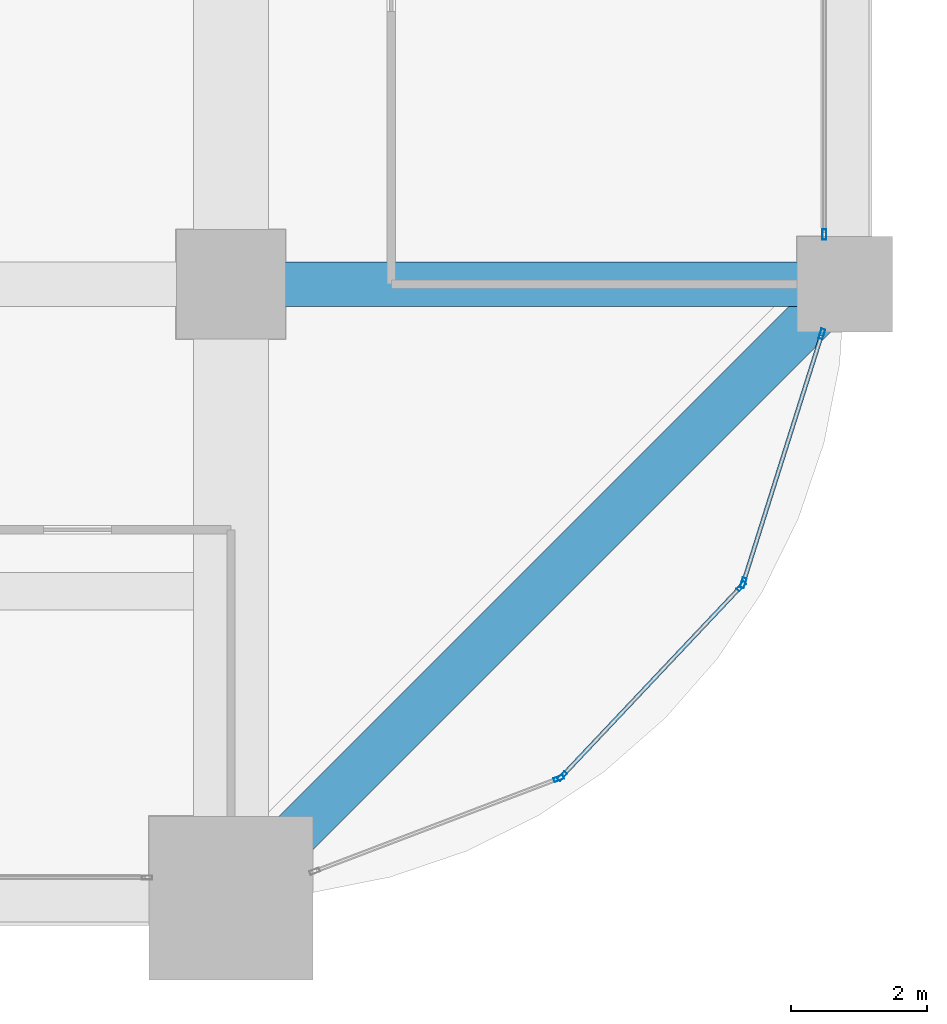
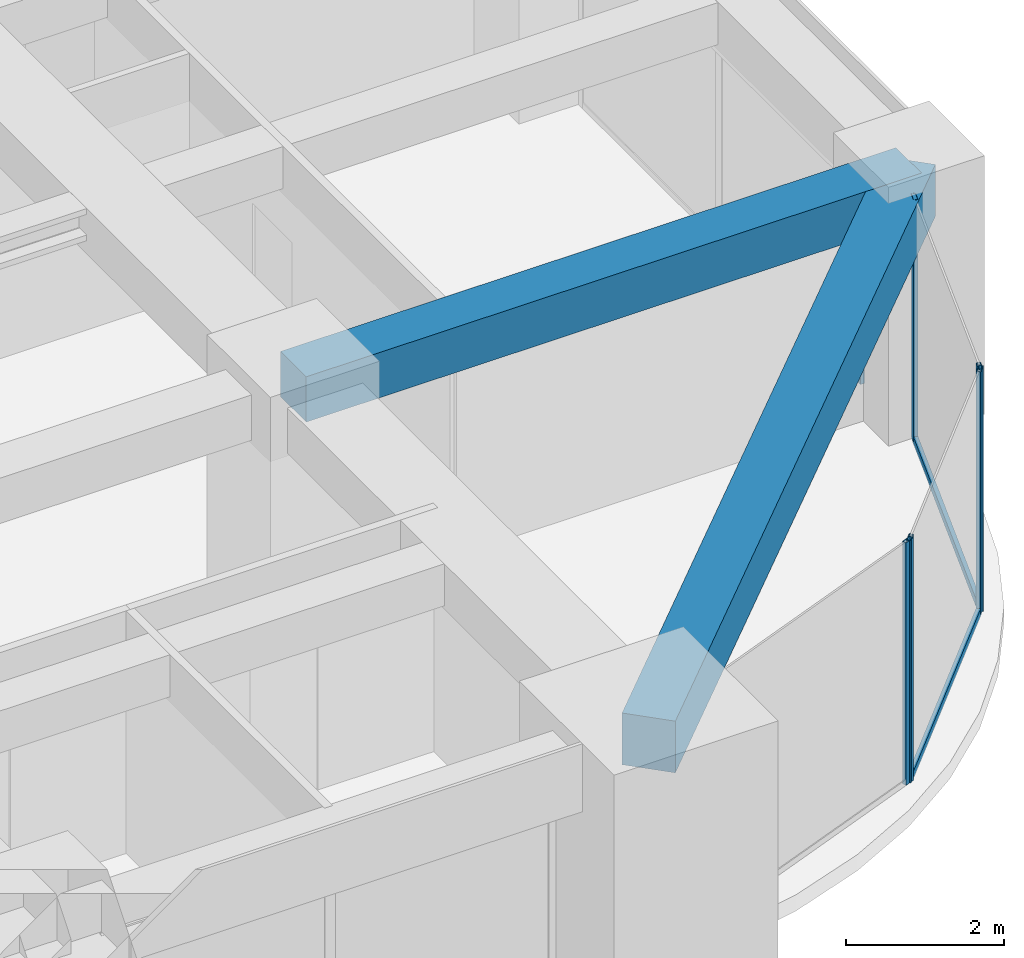
# One storey, part 16 of 32: 8 members, 2 beams, 4 elements without a shape of their own.
"""IFC4 building model written with IfcOpenShell, lengths in metres."""

from ifc_helpers import new_model, si_unit, direction, frame, origin, origin_2d, place, context, subcontext, project, spatial, rectangle, hollow_rectangle, extrude, material, material_profile, profile_set, type_object, element, aggregate, save


model = new_model("IFC4")

# Units and contexts
model_context = context("Model", 3, precision=1e-05, world=origin(), true_north=direction((0.0, 1.0)))
body_context = subcontext(model_context, "Body", "Model", "MODEL_VIEW")
ifc_project = project(units=[si_unit("LENGTHUNIT", "METRE"), si_unit("AREAUNIT", "SQUARE_METRE"), si_unit("VOLUMEUNIT", "CUBIC_METRE"), si_unit("PLANEANGLEUNIT", "RADIAN"), si_unit("MASSUNIT", "GRAM", prefix="KILO")], contexts=[model_context])

# Site, building, storey
site_placement = place(None, origin())
site = spatial("IfcSite", under=ifc_project, at=site_placement, CompositionType="ELEMENT")
building_placement = place(site_placement, origin())
building = spatial("IfcBuilding", under=site, at=building_placement, Name="Zorevar Civic Tower", CompositionType="ELEMENT")
storey_placement = place(building_placement, frame((0.0, 0.0, 182.199951171875)))
storey = spatial("IfcBuildingStorey", under=building, at=storey_placement, Name="L44", CompositionType="ELEMENT", Elevation=182.199951171875)

# Beam
ifc_material_1 = material(Name="Concrete C50/60", Category="concrete")
ifc_material_profile_1 = material_profile(ifc_material_1, rectangle(XDim=0.64990234375, YDim=0.699951171875, at=origin_2d()), Name="RC 650x700")
ifc_profile_set_1 = profile_set([ifc_material_profile_1], Name="Concrete C50/60")
beam_type_1 = type_object("IfcBeamType", Name="Beam RC 650x700", PredefinedType="BEAM", material=ifc_profile_set_1)
beam_1_placement = place(storey_placement, frame((45.0, 9.0, 3.400146484375), z_axis=(1.0, 0.0, 0.0), x_axis=(0.0, 1.0, 0.0)))
element("IfcBeam", 1, at=beam_1_placement, inside=storey, type_object=beam_type_1, Name="Girder L45", PredefinedType="BEAM", context=body_context, shape_type="SweptSolid", body=[
    extrude(rectangle(XDim=0.64990234375, YDim=0.699951171875, at=origin_2d()), origin(), (0.0, 0.0, 1.0), 9.0),
])

# Curtain wall, member
ifc_material_2 = material(Name="Dark grey solar-control glass in black aluminium frame", Category="aluminium")
curtain_wall_type = type_object("IfcCurtainWallType", Name="Curtain wall CW4 high zone", PredefinedType="NOTDEFINED", material=ifc_material_2)
curtain_wall_1_placement = place(storey_placement, origin())
curtain_wall_1 = element("IfcCurtainWall", 2, at=curtain_wall_1_placement, inside=storey, type_object=curtain_wall_type, Name="CW4 L44", PredefinedType="NOTDEFINED")
ifc_material_3 = material(Name="Aluminium, black anodised", Category="aluminium")
ifc_material_profile_2 = material_profile(ifc_material_3, hollow_rectangle(XDim=0.06005859375, YDim=0.14990234375, WallThickness=0.00390625, at=origin_2d()), Name="AL 150x60x4")
ifc_profile_set_2 = profile_set([ifc_material_profile_2], Name="Aluminium, black anodised")
member_type_1 = type_object("IfcMemberType", Name="CW4 mullion AL 150x60x4", PredefinedType="MULLION", material=ifc_profile_set_2)
member_1_placement = place(storey_placement, frame((53.699951171875, 9.72998046875, 0.0), z_axis=(0.0, 0.0, 1.0), x_axis=(-1.0, 0.0, 0.0)))
member_1 = element("IfcMember", 3, at=member_1_placement, type_object=member_type_1, Name="CW4 mullion 1", PredefinedType="MULLION", context=body_context, shape_type="SweptSolid", body=[
    extrude(hollow_rectangle(XDim=0.06005859375, YDim=0.14990234375, WallThickness=0.00390625, at=origin_2d()), origin(), (0.0, 0.0, 1.0), 2.949951171875),
])
aggregate(curtain_wall_1, [member_1])

curtain_wall_2_placement = place(storey_placement, origin())
curtain_wall_2 = element("IfcCurtainWall", 4, at=curtain_wall_2_placement, inside=storey, type_object=curtain_wall_type, Name="CW4 L44", PredefinedType="NOTDEFINED")
member_2_placement = place(storey_placement, frame((49.804931640625, 1.75537109375, 0.0), z_axis=(0.0, 0.0, 1.0), x_axis=(-0.355730895803, 0.93458842801, 0.0)))
member_2 = element("IfcMember", 5, at=member_2_placement, type_object=member_type_1, Name="CW4 mullion 2", PredefinedType="MULLION", context=body_context, shape_type="SweptSolid", body=[
    extrude(hollow_rectangle(XDim=0.06005859375, YDim=0.14990234375, WallThickness=0.00390625, at=origin_2d()), origin(), (0.0, 0.0, 1.0), 3.75),
])
aggregate(curtain_wall_2, [member_2])

# Curtain wall, members
curtain_wall_3_placement = place(storey_placement, origin())
curtain_wall_3 = element("IfcCurtainWall", 6, at=curtain_wall_3_placement, inside=storey, type_object=curtain_wall_type, Name="CW4 L44", PredefinedType="NOTDEFINED")
member_3_placement = place(storey_placement, frame((49.853759765625, 1.787841796875, 0.0), z_axis=(0.0, 0.0, 1.0), x_axis=(-0.727245053898, 0.686377907265, 0.0)))
member_3 = element("IfcMember", 7, at=member_3_placement, type_object=member_type_1, Name="CW4 mullion 1", PredefinedType="MULLION", context=body_context, shape_type="SweptSolid", body=[
    extrude(hollow_rectangle(XDim=0.06005859375, YDim=0.14990234375, WallThickness=0.00390625, at=origin_2d()), origin(), (0.0, 0.0, 1.0), 3.75),
])
member_4_placement = place(storey_placement, frame((52.480712890625, 4.5712890625, 0.0), z_axis=(0.0, 0.0, 1.0), x_axis=(-0.727245053898, 0.686377907265, 0.0)))
member_4 = element("IfcMember", 8, at=member_4_placement, type_object=member_type_1, Name="CW4 mullion 2", PredefinedType="MULLION", context=body_context, shape_type="SweptSolid", body=[
    extrude(hollow_rectangle(XDim=0.06005859375, YDim=0.14990234375, WallThickness=0.00390625, at=origin_2d()), origin(), (0.0, 0.0, 1.0), 3.75),
])

curtain_wall_4_placement = place(storey_placement, origin())
curtain_wall_4 = element("IfcCurtainWall", 9, at=curtain_wall_4_placement, inside=storey, type_object=curtain_wall_type, Name="CW4 L44", PredefinedType="NOTDEFINED")
member_5_placement = place(storey_placement, frame((52.51025390625, 4.62158203125, 0.0), z_axis=(0.0, 0.0, 1.0), x_axis=(-0.953589950678, 0.301108296077, 0.0)))
member_5 = element("IfcMember", 10, at=member_5_placement, type_object=member_type_1, Name="CW4 mullion 1", PredefinedType="MULLION", context=body_context, shape_type="SweptSolid", body=[
    extrude(hollow_rectangle(XDim=0.06005859375, YDim=0.14990234375, WallThickness=0.00390625, at=origin_2d()), origin(), (0.0, 0.0, 1.0), 3.75),
])
member_6_placement = place(storey_placement, frame((53.66259765625, 8.271484375, 0.0), z_axis=(0.0, 0.0, 1.0), x_axis=(-0.953589950678, 0.301108296077, 0.0)))
member_6 = element("IfcMember", 11, at=member_6_placement, type_object=member_type_1, Name="CW4 mullion 2", PredefinedType="MULLION", context=body_context, shape_type="SweptSolid", body=[
    extrude(hollow_rectangle(XDim=0.06005859375, YDim=0.14990234375, WallThickness=0.00390625, at=origin_2d()), origin(), (0.0, 0.0, 1.0), 3.75),
])

# Member
ifc_material_4 = material(Name="Aluminium, black anodised", Category="aluminium")
ifc_material_profile_3 = material_profile(ifc_material_4, hollow_rectangle(XDim=0.06005859375, YDim=0.1201171875, WallThickness=0.0029296875, at=origin_2d()), Name="AL 120x60x3")
ifc_profile_set_3 = profile_set([ifc_material_profile_3], Name="Aluminium, black anodised")
member_type_2 = type_object("IfcMemberType", Name="CW4 transom AL 120x60x3", PredefinedType="USERDEFINED", material=ifc_profile_set_3)
member_7_placement = place(storey_placement, frame((49.874267578125, 1.8095703125, 0.030029296875), z_axis=(0.686332338526, 0.727288059227, 0.0), x_axis=(-0.727288059227, 0.686332338526, 0.0)))
member_7 = element("IfcMember", 12, at=member_7_placement, type_object=member_type_2, Name="CW4 sill transom", ObjectType="TRANSOM", PredefinedType="USERDEFINED", context=body_context, shape_type="SweptSolid", body=[
    extrude(hollow_rectangle(XDim=0.06005859375, YDim=0.1201171875, WallThickness=0.0029296875, at=origin_2d()), origin(), (0.0, 0.0, 1.0), 3.767333984375),
])

aggregate(curtain_wall_3, [member_3, member_4, member_7])

member_8_placement = place(storey_placement, frame((52.519287109375, 4.650390625, 0.030029296875), z_axis=(0.301100351109, 0.953592459367, 0.0), x_axis=(-0.953592459367, 0.301100351109, 0.0)))
member_8 = element("IfcMember", 13, at=member_8_placement, type_object=member_type_2, Name="CW4 sill transom", ObjectType="TRANSOM", PredefinedType="USERDEFINED", context=body_context, shape_type="SweptSolid", body=[
    extrude(hollow_rectangle(XDim=0.06005859375, YDim=0.1201171875, WallThickness=0.0029296875, at=origin_2d()), origin(), (0.0, 0.0, 1.0), 3.76708984375),
])

aggregate(curtain_wall_4, [member_5, member_6, member_8])

# Beam
ifc_material_5 = material(Name="Concrete C50/60", Category="concrete")
ifc_material_profile_4 = material_profile(ifc_material_5, rectangle(XDim=0.699951171875, YDim=0.800048828125, at=origin_2d()), Name="RC 700x800")
ifc_profile_set_4 = profile_set([ifc_material_profile_4], Name="Concrete C50/60")
beam_type_2 = type_object("IfcBeamType", Name="Edge beam RC 700x800", PredefinedType="SPANDREL", material=ifc_profile_set_4)
beam_2_placement = place(storey_placement, frame((45.0, 0.0, 3.35009765625), z_axis=(0.707106781187, 0.707106781187, 0.0), x_axis=(-0.707106781187, 0.707106781187, 0.0)))
element("IfcBeam", 14, at=beam_2_placement, inside=storey, type_object=beam_type_2, Name="Corner edge beam L45", PredefinedType="SPANDREL", context=body_context, shape_type="SweptSolid", body=[
    extrude(rectangle(XDim=0.699951171875, YDim=0.800048828125, at=origin_2d()), origin(), (0.0, 0.0, 1.0), 12.72802734375),
])

save(model, "model.ifc")
